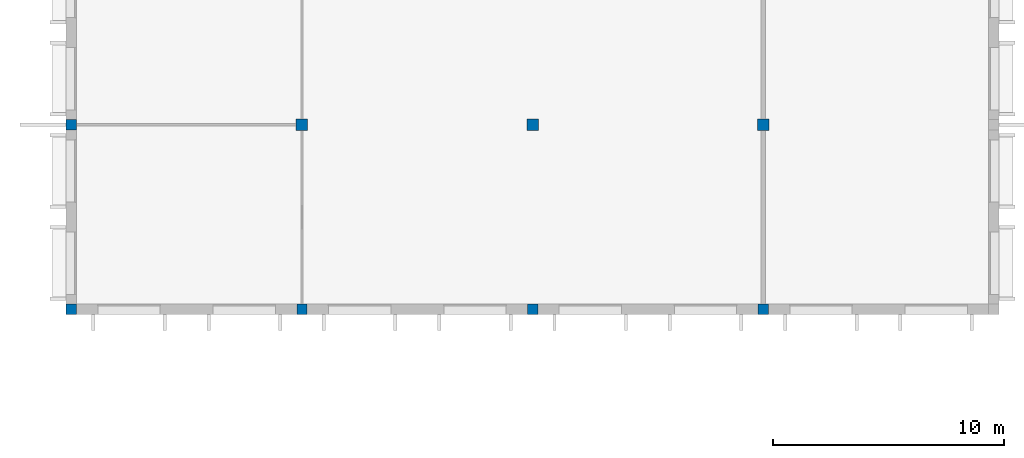
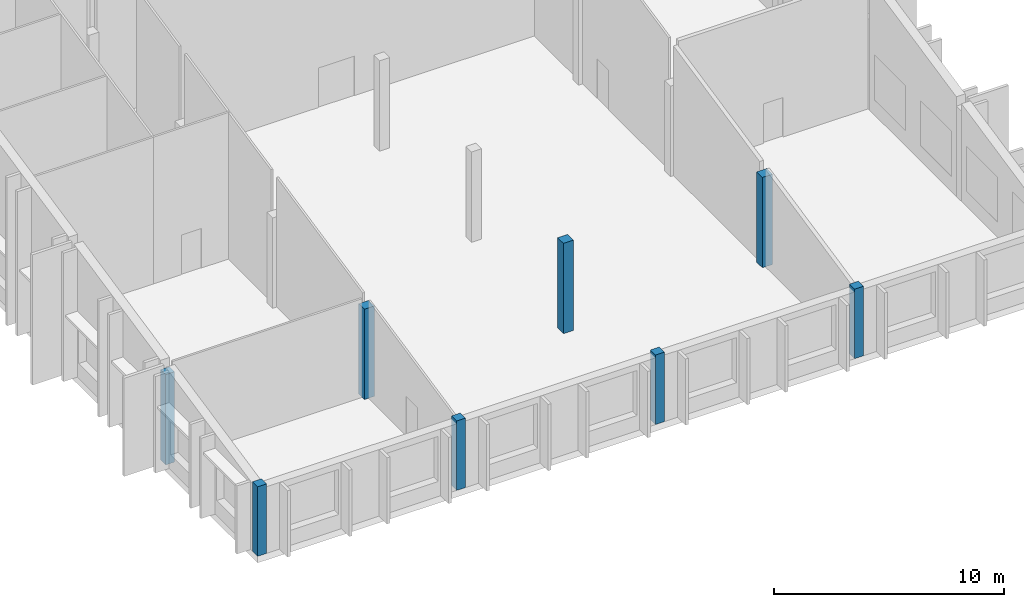
# One storey, part 1 of 69: 8 columns.
"""IFC4 building model written with IfcOpenShell, lengths in metres."""

from ifc_helpers import new_model, si_unit, direction, frame, origin, origin_2d, place, context, subcontext, project, spatial, rectangle, extrude, material, material_profile, profile_set, type_object, element, save


model = new_model("IFC4")

# Units and contexts
model_context = context("Model", 3, precision=1e-05, world=origin(), true_north=direction((0.0, 1.0)))
body_context = subcontext(model_context, "Body", "Model", "MODEL_VIEW")
ifc_project = project(units=[si_unit("LENGTHUNIT", "METRE"), si_unit("AREAUNIT", "SQUARE_METRE"), si_unit("VOLUMEUNIT", "CUBIC_METRE"), si_unit("PLANEANGLEUNIT", "RADIAN"), si_unit("MASSUNIT", "GRAM", prefix="KILO")], contexts=[model_context])

# Site, building, storey
site_placement = place(None, origin())
site = spatial("IfcSite", under=ifc_project, at=site_placement, CompositionType="ELEMENT")
building_placement = place(site_placement, origin())
building = spatial("IfcBuilding", under=site, at=building_placement, Name="Okhra Congress Centre", CompositionType="ELEMENT")
storey_placement = place(building_placement, frame((0.0, 0.0, 16.800048828125)))
storey = spatial("IfcBuildingStorey", under=building, at=storey_placement, Name="L03", CompositionType="ELEMENT", Elevation=16.800048828125)

# Columns
ifc_material = material(Name="Concrete C35/45", Category="concrete")
ifc_material_profile_1 = material_profile(ifc_material, rectangle(XDim=0.449951171875, YDim=0.449951171875, at=origin_2d()), Name="RC 450x450")
ifc_profile_set_1 = profile_set([ifc_material_profile_1], Name="Concrete C35/45")
column_type_1 = type_object("IfcColumnType", Name="RC column 450x450 C35/45", PredefinedType="COLUMN", material=ifc_profile_set_1)
column_1_placement = place(storey_placement, frame((6.0, 44.0, 0.0), z_axis=(0.0, 0.0, 1.0), x_axis=(1.0, 0.0, 0.0)))
element("IfcColumn", 1, at=column_1_placement, inside=storey, type_object=column_type_1, Name="RS.COL.L03.1", PredefinedType="COLUMN", context=body_context, shape_type="SweptSolid", body=[
    extrude(rectangle(XDim=0.449951171875, YDim=0.449951171875, at=origin_2d()), origin(), (0.0, 0.0, 1.0), 3.691162109375),
])
column_2_placement = place(storey_placement, frame((6.0, 52.0, 0.0), z_axis=(0.0, 0.0, 1.0), x_axis=(1.0, 0.0, 0.0)))
element("IfcColumn", 2, at=column_2_placement, inside=storey, type_object=column_type_1, Name="RS.COL.L03.2", PredefinedType="COLUMN", context=body_context, shape_type="SweptSolid", body=[
    extrude(rectangle(XDim=0.449951171875, YDim=0.449951171875, at=origin_2d()), origin(), (0.0, 0.0, 1.0), 4.800048828125),
])
for number, where, z_axis, x_axis, name in (
    (3, (16.0, 44.0, 0.0), (0.0, 0.0, 1.0), (1.0, 0.0, 0.0), "RS.COL.L03.7"),
    (4, (26.0, 44.0, 0.0), (0.0, 0.0, 1.0), (1.0, 0.0, 0.0), "RS.COL.L03.13"),
    (5, (36.0, 44.0, 0.0), (0.0, 0.0, 1.0), (1.0, 0.0, 0.0), "RS.COL.L03.19"),
):
    element("IfcColumn", number, at=place(storey_placement, frame(where, z_axis=z_axis, x_axis=x_axis)), inside=storey, type_object=column_type_1, Name=name, PredefinedType="COLUMN", context=body_context, shape_type="SweptSolid", body=[
        extrude(rectangle(XDim=0.449951171875, YDim=0.449951171875, at=origin_2d()), origin(), (0.0, 0.0, 1.0), 3.691162109375),
    ])
ifc_material_profile_2 = material_profile(ifc_material, rectangle(XDim=0.5, YDim=0.5, at=origin_2d()), Name="RC 500x500")
ifc_profile_set_2 = profile_set([ifc_material_profile_2], Name="Concrete C35/45")
column_type_2 = type_object("IfcColumnType", Name="RC column 500x500 C35/45", PredefinedType="COLUMN", material=ifc_profile_set_2)
for number, where, z_axis, x_axis, name in (
    (6, (16.0, 52.0, 0.0), (0.0, 0.0, 1.0), (1.0, 0.0, 0.0), "RS.COL.L03.8"),
    (7, (26.0, 52.0, 0.0), (0.0, 0.0, 1.0), (1.0, 0.0, 0.0), "RS.COL.L03.14"),
    (8, (36.0, 52.0, 0.0), (0.0, 0.0, 1.0), (1.0, 0.0, 0.0), "RS.COL.L03.20"),
):
    element("IfcColumn", number, at=place(storey_placement, frame(where, z_axis=z_axis, x_axis=x_axis)), inside=storey, type_object=column_type_2, Name=name, PredefinedType="COLUMN", context=body_context, shape_type="SweptSolid", body=[
        extrude(rectangle(XDim=0.5, YDim=0.5, at=origin_2d()), origin(), (0.0, 0.0, 1.0), 4.800048828125),
    ])

save(model, "model.ifc")
